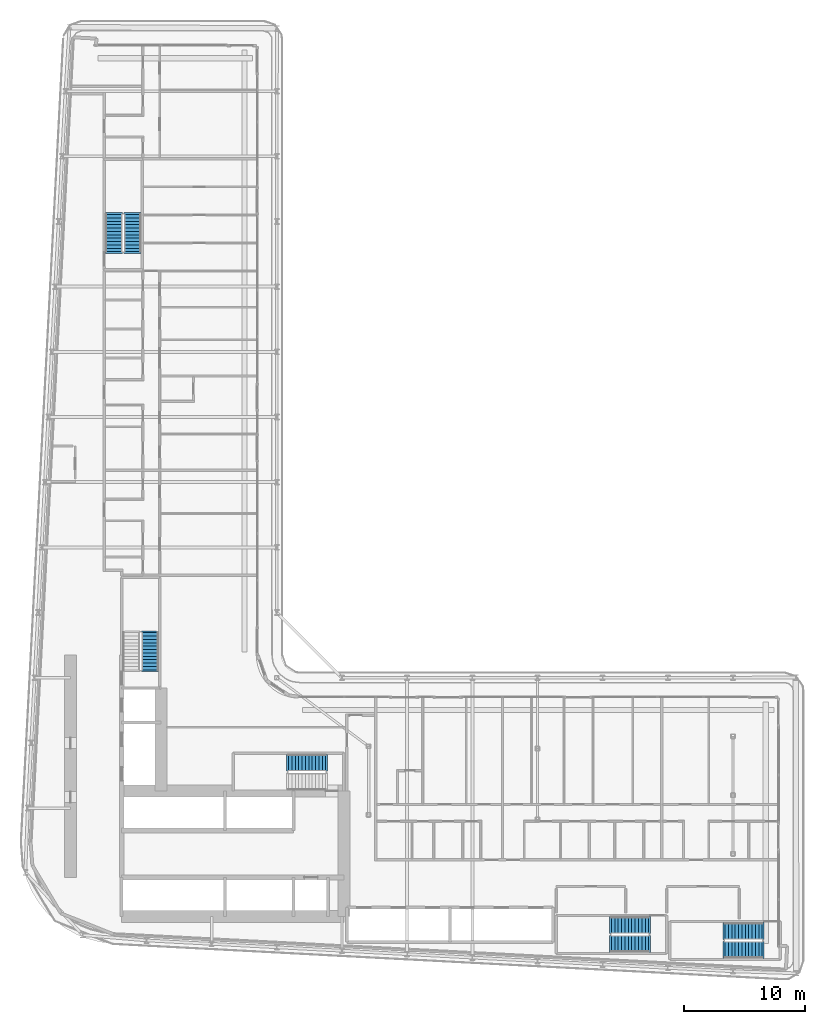
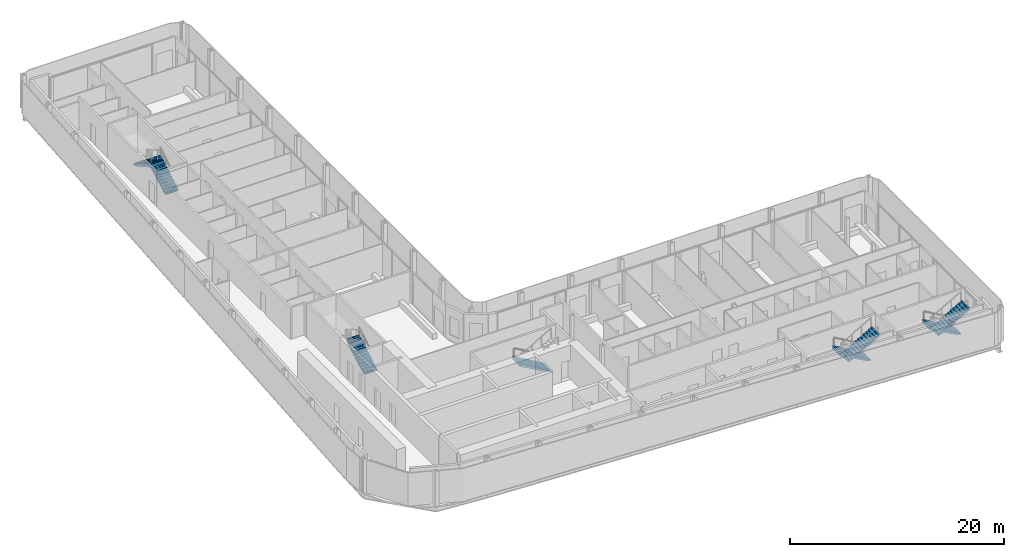
# One storey, part 17 of 24: 8 stair flights, 5 elements without a shape of their own.
"""IFC4 building model written with IfcOpenShell, lengths in metres."""

from ifc_helpers import new_model, si_unit, direction, frame, origin, place, context, subcontext, project, spatial, polyline, outline, extrude, material, layer, layer_set, type_object, element, aggregate, save


model = new_model("IFC4")

# Units and contexts
model_context = context("Model", 3, precision=1e-05, world=origin(), true_north=direction((0.0, 1.0)))
body_context = subcontext(model_context, "Body", "Model", "MODEL_VIEW")
ifc_project = project(units=[si_unit("LENGTHUNIT", "METRE"), si_unit("AREAUNIT", "SQUARE_METRE"), si_unit("VOLUMEUNIT", "CUBIC_METRE"), si_unit("PLANEANGLEUNIT", "RADIAN"), si_unit("MASSUNIT", "GRAM", prefix="KILO")], contexts=[model_context])

# Site, building, storey
site_placement = place(None, origin())
site = spatial("IfcSite", under=ifc_project, at=site_placement, CompositionType="ELEMENT")
building_placement = place(site_placement, origin())
building = spatial("IfcBuilding", under=site, at=building_placement, Name="Kheshtan School and Residences Tower", CompositionType="ELEMENT")
storey_placement = place(building_placement, frame((0.0, 0.0, 38.300048828125)))
storey = spatial("IfcBuildingStorey", under=building, at=storey_placement, Name="L08", CompositionType="ELEMENT", Elevation=38.300048828125)

# Stair, stair flight
ifc_material = material(Name="Concrete C40/50", Category="concrete")
stair_type = type_object("IfcStairType", Name="Exit stair, half-turn", PredefinedType="HALF_TURN_STAIR", material=ifc_material)
stair_1_placement = place(storey_placement, origin())
stair_1 = element("IfcStair", 1, at=stair_1_placement, inside=storey, type_object=stair_type, Name="L08 Protected Exit Stair ST1", PredefinedType="HALF_TURN_STAIR")
ifc_layer = layer(ifc_material, 0.14990234375)
ifc_layer_set = layer_set([ifc_layer], Name="Stair flight 1400 Concrete C40/50")
stair_flight_type = type_object("IfcStairFlightType", Name="Stair flight 1400 Concrete C40/50", PredefinedType="STRAIGHT", material=ifc_layer_set)
stair_flight_1_placement = place(storey_placement, frame((51.64990234375, 38.550048828125, 0.0), z_axis=(0.0, 0.0, 1.0), x_axis=(-1.0, 0.0, 0.0)))
stair_flight_1 = element("IfcStairFlight", 2, at=stair_flight_1_placement, type_object=stair_flight_type, Name="ST1 flight 1", NumberOfRisers=12, NumberOfTreads=11, PredefinedType="STRAIGHT", RiserHeight=0.1625, TreadLength=0.28, context=body_context, shape_type="SweptSolid", body=[
    extrude(outline(polyline([(-0.14990234375, -0.10009765625), (-0.14990234375, 0.0), (0.0, 0.0), (0.0, 0.16259765625), (0.280029296875, 0.16259765625), (0.280029296875, 0.324951171875), (0.56005859375, 0.324951171875), (0.56005859375, 0.487548828125), (0.840087890625, 0.487548828125), (0.840087890625, 0.64990234375), (1.1201171875, 0.64990234375), (1.1201171875, 0.8125), (1.39990234375, 0.8125), (1.39990234375, 0.97509765625), (1.679931640625, 0.97509765625), (1.679931640625, 1.137451171875), (1.9599609375, 1.137451171875), (1.9599609375, 1.300048828125), (2.239990234375, 1.300048828125), (2.239990234375, 1.46240234375), (2.52001953125, 1.46240234375), (2.52001953125, 1.625), (2.800048828125, 1.625), (2.800048828125, 1.78759765625), (3.080078125, 1.78759765625), (3.080078125, 1.949951171875), (3.080078125, 1.969970703125), (3.22998046875, 1.969970703125), (3.22998046875, 1.6142578125), (0.298583984375, 0.0), (-0.14990234375, -0.10009765625)])), frame((0.0, 0.699951171875, 0.0), z_axis=(0.0, -1.0, 0.0), x_axis=(1.0, 0.0, 0.0)), (0.0, 0.0, 1.0), 1.39990234375),
])
aggregate(stair_1, [stair_flight_1])

stair_2_placement = place(storey_placement, origin())
stair_2 = element("IfcStair", 3, at=stair_2_placement, inside=storey, type_object=stair_type, Name="L08 Protected Exit Stair ST2", PredefinedType="HALF_TURN_STAIR")
stair_flight_2_placement = place(storey_placement, frame((37.10009765625, 46.25, 0.0), z_axis=(0.0, 0.0, 1.0), x_axis=(0.0, 1.0, 0.0)))
stair_flight_2 = element("IfcStairFlight", 4, at=stair_flight_2_placement, type_object=stair_flight_type, Name="ST2 flight 1", NumberOfRisers=12, NumberOfTreads=11, PredefinedType="STRAIGHT", RiserHeight=0.1625, TreadLength=0.28, context=body_context, shape_type="SweptSolid", body=[
    extrude(outline(polyline([(-0.14990234375, -0.10009765625), (-0.14990234375, 0.0), (0.0, 0.0), (0.0, 0.16259765625), (0.280029296875, 0.16259765625), (0.280029296875, 0.324951171875), (0.56005859375, 0.324951171875), (0.56005859375, 0.487548828125), (0.840087890625, 0.487548828125), (0.840087890625, 0.64990234375), (1.1201171875, 0.64990234375), (1.1201171875, 0.8125), (1.39990234375, 0.8125), (1.39990234375, 0.97509765625), (1.679931640625, 0.97509765625), (1.679931640625, 1.137451171875), (1.9599609375, 1.137451171875), (1.9599609375, 1.300048828125), (2.239990234375, 1.300048828125), (2.239990234375, 1.46240234375), (2.52001953125, 1.46240234375), (2.52001953125, 1.625), (2.800048828125, 1.625), (2.800048828125, 1.78759765625), (3.080078125, 1.78759765625), (3.080078125, 1.949951171875), (3.080078125, 1.969970703125), (3.22998046875, 1.969970703125), (3.22998046875, 1.6142578125), (0.298583984375, 0.0), (-0.14990234375, -0.10009765625)])), frame((0.0, 0.699951171875, 0.0), z_axis=(0.0, -1.0, 0.0), x_axis=(1.0, 0.0, 0.0)), (0.0, 0.0, 1.0), 1.39990234375),
])
aggregate(stair_2, [stair_flight_2])

# Stair, stair flights
stair_3_placement = place(storey_placement, origin())
stair_3 = element("IfcStair", 5, at=stair_3_placement, inside=storey, type_object=stair_type, Name="L08 Protected Exit Stair ST3", PredefinedType="HALF_TURN_STAIR")
stair_flight_3_placement = place(storey_placement, frame((35.64990234375, 80.89990234375, 0.0), z_axis=(0.0, 0.0, 1.0), x_axis=(0.0, 1.0, 0.0)))
stair_flight_3 = element("IfcStairFlight", 6, at=stair_flight_3_placement, type_object=stair_flight_type, Name="ST3 flight 1", NumberOfRisers=12, NumberOfTreads=11, PredefinedType="STRAIGHT", RiserHeight=0.1625, TreadLength=0.28, context=body_context, shape_type="SweptSolid", body=[
    extrude(outline(polyline([(-0.14990234375, -0.10009765625), (-0.14990234375, 0.0), (0.0, 0.0), (0.0, 0.16259765625), (0.280029296875, 0.16259765625), (0.280029296875, 0.324951171875), (0.56005859375, 0.324951171875), (0.56005859375, 0.487548828125), (0.840087890625, 0.487548828125), (0.840087890625, 0.64990234375), (1.1201171875, 0.64990234375), (1.1201171875, 0.8125), (1.39990234375, 0.8125), (1.39990234375, 0.97509765625), (1.679931640625, 0.97509765625), (1.679931640625, 1.137451171875), (1.9599609375, 1.137451171875), (1.9599609375, 1.300048828125), (2.239990234375, 1.300048828125), (2.239990234375, 1.46240234375), (2.52001953125, 1.46240234375), (2.52001953125, 1.625), (2.800048828125, 1.625), (2.800048828125, 1.78759765625), (3.080078125, 1.78759765625), (3.080078125, 1.949951171875), (3.080078125, 1.969970703125), (3.22998046875, 1.969970703125), (3.22998046875, 1.6142578125), (0.298583984375, 0.0), (-0.14990234375, -0.10009765625)])), frame((0.0, 0.699951171875, 0.0), z_axis=(0.0, -1.0, 0.0), x_axis=(1.0, 0.0, 0.0)), (0.0, 0.0, 1.0), 1.39990234375),
])
stair_flight_4_placement = place(storey_placement, frame((34.10009765625, 83.97998046875, 1.949951171875), z_axis=(0.0, 0.0, 1.0), x_axis=(0.0, -1.0, 0.0)))
stair_flight_4 = element("IfcStairFlight", 7, at=stair_flight_4_placement, type_object=stair_flight_type, Name="ST3 flight 2", NumberOfRisers=12, NumberOfTreads=11, PredefinedType="STRAIGHT", RiserHeight=0.1625, TreadLength=0.28, context=body_context, shape_type="SweptSolid", body=[
    extrude(outline(polyline([(-0.14990234375, -0.10009765625), (-0.14990234375, 0.0), (0.0, 0.0), (0.0, 0.16259765625), (0.280029296875, 0.16259765625), (0.280029296875, 0.324951171875), (0.56005859375, 0.324951171875), (0.56005859375, 0.487548828125), (0.840087890625, 0.487548828125), (0.840087890625, 0.64990234375), (1.1201171875, 0.64990234375), (1.1201171875, 0.8125), (1.39990234375, 0.8125), (1.39990234375, 0.97509765625), (1.679931640625, 0.97509765625), (1.679931640625, 1.137451171875), (1.9599609375, 1.137451171875), (1.9599609375, 1.300048828125), (2.239990234375, 1.300048828125), (2.239990234375, 1.46240234375), (2.52001953125, 1.46240234375), (2.52001953125, 1.625), (2.800048828125, 1.625), (2.800048828125, 1.78759765625), (3.080078125, 1.78759765625), (3.080078125, 1.949951171875), (3.080078125, 1.969970703125), (3.22998046875, 1.969970703125), (3.22998046875, 1.6142578125), (0.298583984375, 0.0), (-0.14990234375, -0.10009765625)])), frame((0.0, 0.699951171875, 0.0), z_axis=(0.0, -1.0, 0.0), x_axis=(1.0, 0.0, 0.0)), (0.0, 0.0, 1.0), 1.39990234375),
])
aggregate(stair_3, [stair_flight_3, stair_flight_4])

stair_4_placement = place(storey_placement, origin())
stair_4 = element("IfcStair", 8, at=stair_4_placement, inside=storey, type_object=stair_type, Name="L08 Protected Exit Stair ST4", PredefinedType="HALF_TURN_STAIR")
stair_flight_5_placement = place(storey_placement, frame((87.820068359375, 24.60009765625, 0.0), z_axis=(0.0, 0.0, 1.0), x_axis=(-1.0, 0.0, 0.0)))
stair_flight_5 = element("IfcStairFlight", 9, at=stair_flight_5_placement, type_object=stair_flight_type, Name="ST4 flight 1", NumberOfRisers=12, NumberOfTreads=11, PredefinedType="STRAIGHT", RiserHeight=0.1625, TreadLength=0.28, context=body_context, shape_type="SweptSolid", body=[
    extrude(outline(polyline([(-0.14990234375, -0.10009765625), (-0.14990234375, 0.0), (0.0, 0.0), (0.0, 0.16259765625), (0.280029296875, 0.16259765625), (0.280029296875, 0.324951171875), (0.56005859375, 0.324951171875), (0.56005859375, 0.487548828125), (0.840087890625, 0.487548828125), (0.840087890625, 0.64990234375), (1.1201171875, 0.64990234375), (1.1201171875, 0.8125), (1.39990234375, 0.8125), (1.39990234375, 0.97509765625), (1.679931640625, 0.97509765625), (1.679931640625, 1.137451171875), (1.9599609375, 1.137451171875), (1.9599609375, 1.300048828125), (2.239990234375, 1.300048828125), (2.239990234375, 1.46240234375), (2.52001953125, 1.46240234375), (2.52001953125, 1.625), (2.800048828125, 1.625), (2.800048828125, 1.78759765625), (3.080078125, 1.78759765625), (3.080078125, 1.949951171875), (3.080078125, 1.969970703125), (3.22998046875, 1.969970703125), (3.22998046875, 1.6142578125), (0.298583984375, 0.0), (-0.14990234375, -0.10009765625)])), frame((0.0, 0.699951171875, 0.0), z_axis=(0.0, -1.0, 0.0), x_axis=(1.0, 0.0, 0.0)), (0.0, 0.0, 1.0), 1.39990234375),
])
stair_flight_6_placement = place(storey_placement, frame((84.739990234375, 23.050048828125, 1.949951171875), z_axis=(0.0, 0.0, 1.0), x_axis=(1.0, 0.0, 0.0)))
stair_flight_6 = element("IfcStairFlight", 10, at=stair_flight_6_placement, type_object=stair_flight_type, Name="ST4 flight 2", NumberOfRisers=12, NumberOfTreads=11, PredefinedType="STRAIGHT", RiserHeight=0.1625, TreadLength=0.28, context=body_context, shape_type="SweptSolid", body=[
    extrude(outline(polyline([(-0.14990234375, -0.10009765625), (-0.14990234375, 0.0), (0.0, 0.0), (0.0, 0.16259765625), (0.280029296875, 0.16259765625), (0.280029296875, 0.324951171875), (0.56005859375, 0.324951171875), (0.56005859375, 0.487548828125), (0.840087890625, 0.487548828125), (0.840087890625, 0.64990234375), (1.1201171875, 0.64990234375), (1.1201171875, 0.8125), (1.39990234375, 0.8125), (1.39990234375, 0.97509765625), (1.679931640625, 0.97509765625), (1.679931640625, 1.137451171875), (1.9599609375, 1.137451171875), (1.9599609375, 1.300048828125), (2.239990234375, 1.300048828125), (2.239990234375, 1.46240234375), (2.52001953125, 1.46240234375), (2.52001953125, 1.625), (2.800048828125, 1.625), (2.800048828125, 1.78759765625), (3.080078125, 1.78759765625), (3.080078125, 1.949951171875), (3.080078125, 1.969970703125), (3.22998046875, 1.969970703125), (3.22998046875, 1.6142578125), (0.298583984375, 0.0), (-0.14990234375, -0.10009765625)])), frame((0.0, 0.699951171875, 0.0), z_axis=(0.0, -1.0, 0.0), x_axis=(1.0, 0.0, 0.0)), (0.0, 0.0, 1.0), 1.39990234375),
])
aggregate(stair_4, [stair_flight_5, stair_flight_6])

stair_5_placement = place(storey_placement, origin())
stair_5 = element("IfcStair", 11, at=stair_5_placement, inside=storey, type_object=stair_type, Name="L08 Protected Exit Stair ST5", PredefinedType="HALF_TURN_STAIR")
stair_flight_7_placement = place(storey_placement, frame((78.409912109375, 25.10009765625, 0.0), z_axis=(0.0, 0.0, 1.0), x_axis=(-1.0, 0.0, 0.0)))
stair_flight_7 = element("IfcStairFlight", 12, at=stair_flight_7_placement, type_object=stair_flight_type, Name="ST5 flight 1", NumberOfRisers=12, NumberOfTreads=11, PredefinedType="STRAIGHT", RiserHeight=0.1625, TreadLength=0.28, context=body_context, shape_type="SweptSolid", body=[
    extrude(outline(polyline([(-0.14990234375, -0.10009765625), (-0.14990234375, 0.0), (0.0, 0.0), (0.0, 0.16259765625), (0.280029296875, 0.16259765625), (0.280029296875, 0.324951171875), (0.56005859375, 0.324951171875), (0.56005859375, 0.487548828125), (0.840087890625, 0.487548828125), (0.840087890625, 0.64990234375), (1.1201171875, 0.64990234375), (1.1201171875, 0.8125), (1.39990234375, 0.8125), (1.39990234375, 0.97509765625), (1.679931640625, 0.97509765625), (1.679931640625, 1.137451171875), (1.9599609375, 1.137451171875), (1.9599609375, 1.300048828125), (2.239990234375, 1.300048828125), (2.239990234375, 1.46240234375), (2.52001953125, 1.46240234375), (2.52001953125, 1.625), (2.800048828125, 1.625), (2.800048828125, 1.78759765625), (3.080078125, 1.78759765625), (3.080078125, 1.949951171875), (3.080078125, 1.969970703125), (3.22998046875, 1.969970703125), (3.22998046875, 1.6142578125), (0.298583984375, 0.0), (-0.14990234375, -0.10009765625)])), frame((0.0, 0.699951171875, 0.0), z_axis=(0.0, -1.0, 0.0), x_axis=(1.0, 0.0, 0.0)), (0.0, 0.0, 1.0), 1.39990234375),
])
stair_flight_8_placement = place(storey_placement, frame((75.330078125, 23.550048828125, 1.949951171875), z_axis=(0.0, 0.0, 1.0), x_axis=(1.0, 0.0, 0.0)))
stair_flight_8 = element("IfcStairFlight", 13, at=stair_flight_8_placement, type_object=stair_flight_type, Name="ST5 flight 2", NumberOfRisers=12, NumberOfTreads=11, PredefinedType="STRAIGHT", RiserHeight=0.1625, TreadLength=0.28, context=body_context, shape_type="SweptSolid", body=[
    extrude(outline(polyline([(-0.14990234375, -0.10009765625), (-0.14990234375, 0.0), (0.0, 0.0), (0.0, 0.16259765625), (0.280029296875, 0.16259765625), (0.280029296875, 0.324951171875), (0.56005859375, 0.324951171875), (0.56005859375, 0.487548828125), (0.840087890625, 0.487548828125), (0.840087890625, 0.64990234375), (1.1201171875, 0.64990234375), (1.1201171875, 0.8125), (1.39990234375, 0.8125), (1.39990234375, 0.97509765625), (1.679931640625, 0.97509765625), (1.679931640625, 1.137451171875), (1.9599609375, 1.137451171875), (1.9599609375, 1.300048828125), (2.239990234375, 1.300048828125), (2.239990234375, 1.46240234375), (2.52001953125, 1.46240234375), (2.52001953125, 1.625), (2.800048828125, 1.625), (2.800048828125, 1.78759765625), (3.080078125, 1.78759765625), (3.080078125, 1.949951171875), (3.080078125, 1.969970703125), (3.22998046875, 1.969970703125), (3.22998046875, 1.6142578125), (0.298583984375, 0.0), (-0.14990234375, -0.10009765625)])), frame((0.0, 0.699951171875, 0.0), z_axis=(0.0, -1.0, 0.0), x_axis=(1.0, 0.0, 0.0)), (0.0, 0.0, 1.0), 1.39990234375),
])
aggregate(stair_5, [stair_flight_7, stair_flight_8])

save(model, "model.ifc")
